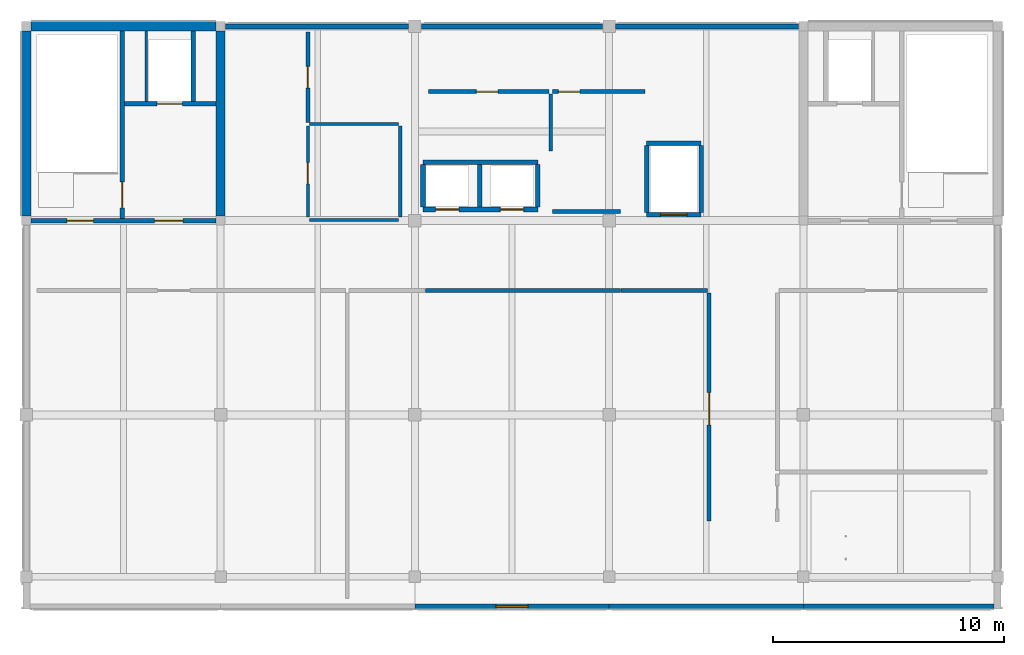
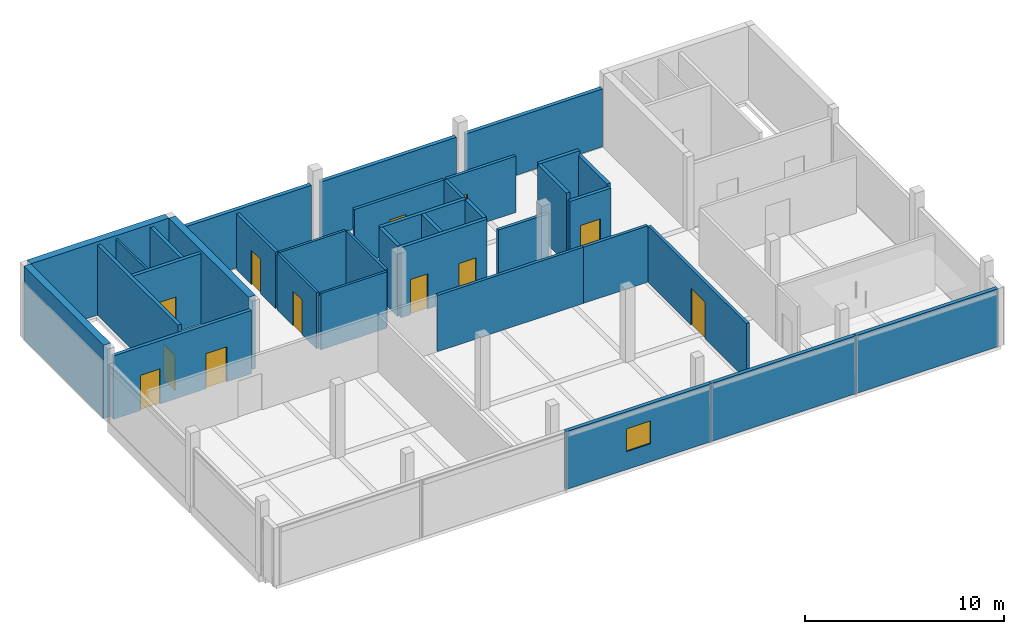
# One storey, part 2 of 11: 35 walls, 12 doors, 1 window, 13 openings.
"""IFC4 building model written with IfcOpenShell, lengths in metres."""

from ifc_helpers import new_model, si_unit, direction, frame, frame_2d, origin, place, context, subcontext, project, spatial, rectangle, extrude, material, layer, layer_set, type_object, element, fill, save


model = new_model("IFC4")

# Units and contexts
model_context = context("Model", 3, precision=1e-05, world=origin(), true_north=direction((0.0, 1.0)))
body_context = subcontext(model_context, "Body", "Model", "MODEL_VIEW")
ifc_project = project(units=[si_unit("LENGTHUNIT", "METRE"), si_unit("AREAUNIT", "SQUARE_METRE"), si_unit("VOLUMEUNIT", "CUBIC_METRE"), si_unit("PLANEANGLEUNIT", "RADIAN"), si_unit("MASSUNIT", "GRAM", prefix="KILO")], contexts=[model_context])

# Site, building, storey
site_placement = place(None, origin())
site = spatial("IfcSite", under=ifc_project, at=site_placement, CompositionType="ELEMENT")
building_placement = place(site_placement, origin())
building = spatial("IfcBuilding", under=site, at=building_placement, Name="Telukmera Botanical Conservatory", CompositionType="ELEMENT")
storey_placement = place(building_placement, frame((0.0, 0.0, 73.5)))
storey = spatial("IfcBuildingStorey", under=building, at=storey_placement, Name="L16", CompositionType="ELEMENT", Elevation=73.5)

# Wall, opening, window
ifc_material_1 = material(Name="Terracotta-faced precast concrete C40/50", Category="masonry")
ifc_layer_1 = layer(ifc_material_1, 0.219970703125)
ifc_layer_set_1 = layer_set([ifc_layer_1], Name="Terracotta-faced precast concrete C40/50")
wall_type_1 = type_object("IfcWallType", Name="Exterior Terracotta Rainscreen Cladding Wall 220", PredefinedType="USERDEFINED", material=ifc_layer_set_1)
wall_1_placement = place(storey_placement, frame((75.60205078125, 9.320068359375, 0.0), z_axis=(0.0, 0.0, 1.0), x_axis=(1.0, 0.0, 0.0)))
wall_1 = element("IfcWall", 1, at=wall_1_placement, inside=storey, type_object=wall_type_1, Name="Exterior Precast Wall EW07 V4:L16:S3", ObjectType="CLADDING", PredefinedType="USERDEFINED", context=body_context, shape_type="SweptSolid", body=[
    extrude(rectangle(XDim=8.39599609375, YDim=0.219970703125, at=frame_2d((4.197998046875, 0.0))), origin(), (0.0, 0.0, 1.0), 3.550048828125),
])
opening_1_placement = place(wall_1_placement, frame((3.498046875, 0.0, 1.10009765625)))
opening_1 = element("IfcOpeningElement", 2, at=opening_1_placement, cuts=wall_1, Name="Opening W04", PredefinedType="OPENING", context=body_context, shape_type="SweptSolid", body=[
    extrude(rectangle(XDim=1.39990234375, YDim=1.39990234375, at=frame_2d((0.699951171875, 0.699951171875))), frame((0.0, 0.119873046875, 0.0), z_axis=(0.0, -1.0, 0.0), x_axis=(1.0, 0.0, 0.0)), (0.0, 0.0, 1.0), 0.239990234375),
])
ifc_material_2 = material(Name="Thermally broken anodised aluminium frame with low-E double glazing", Category="aluminium")
window_type = type_object("IfcWindowType", Name="Postmodern Drum Ocular Feature Window 1400x1400", PartitioningType="SINGLE_PANEL", PredefinedType="LIGHTDOME", material=ifc_material_2)
window_placement = place(opening_1_placement, origin())
window = element("IfcWindow", 3, at=window_placement, inside=storey, type_object=window_type, Name="Facade Window W04 V4:L16:S3", OverallHeight=1.39990234375, OverallWidth=1.39990234375, PartitioningType="SINGLE_PANEL", PredefinedType="LIGHTDOME", context=body_context, shape_type="SweptSolid", body=[
    extrude(rectangle(XDim=1.39990234375, YDim=1.39990234375, at=frame_2d((0.699951171875, 0.699951171875))), frame((0.0, 0.030029296875, 0.0), z_axis=(0.0, -1.0, 0.0), x_axis=(1.0, 0.0, 0.0)), (0.0, 0.0, 1.0), 0.06005859375),
])
fill(opening_1, window)

# Walls
wall_2_placement = place(storey_placement, frame((84.001953125, 9.320068359375, 0.0), z_axis=(0.0, 0.0, 1.0), x_axis=(1.0, 0.0, 0.0)))
element("IfcWall", 4, at=wall_2_placement, inside=storey, type_object=wall_type_1, Name="Exterior Precast Wall EW07 V4:L16:S4", ObjectType="CLADDING", PredefinedType="USERDEFINED", context=body_context, shape_type="SweptSolid", body=[
    extrude(rectangle(XDim=8.39599609375, YDim=0.219970703125, at=frame_2d((4.197998046875, 0.0))), origin(), (0.0, 0.0, 1.0), 3.550048828125),
])
wall_3_placement = place(storey_placement, frame((92.402099609375, 9.320068359375, 0.0), z_axis=(0.0, 0.0, 1.0), x_axis=(1.0, 0.0, 0.0)))
element("IfcWall", 5, at=wall_3_placement, inside=storey, type_object=wall_type_1, Name="Exterior Precast Wall EW07 V4:L16:S5", ObjectType="CLADDING", PredefinedType="USERDEFINED", context=body_context, shape_type="SweptSolid", body=[
    extrude(rectangle(XDim=8.245849609375, YDim=0.219970703125, at=frame_2d((4.123046875, 0.0))), origin(), (0.0, 0.0, 1.0), 3.550048828125),
])
wall_4_placement = place(storey_placement, frame((67.402099609375, 34.39990234375, 0.0), z_axis=(0.0, 0.0, 1.0), x_axis=(1.0, 0.0, 0.0)))
element("IfcWall", 6, at=wall_4_placement, inside=storey, type_object=wall_type_1, Name="Exterior Precast Wall EW07 V4:L16:N2", ObjectType="CLADDING", PredefinedType="USERDEFINED", context=body_context, shape_type="SweptSolid", body=[
    extrude(rectangle(XDim=7.9208984375, YDim=0.219970703125, at=frame_2d((3.96044921875, 0.0))), origin(), (0.0, 0.0, 1.0), 3.550048828125),
])
wall_5_placement = place(storey_placement, frame((75.876953125, 34.39990234375, 0.0), z_axis=(0.0, 0.0, 1.0), x_axis=(1.0, 0.0, 0.0)))
element("IfcWall", 7, at=wall_5_placement, inside=storey, type_object=wall_type_1, Name="Exterior Precast Wall EW07 V4:L16:N3", ObjectType="CLADDING", PredefinedType="USERDEFINED", context=body_context, shape_type="SweptSolid", body=[
    extrude(rectangle(XDim=7.845947265625, YDim=0.219970703125, at=frame_2d((3.9228515625, 0.0))), origin(), (0.0, 0.0, 1.0), 3.550048828125),
])
wall_6_placement = place(storey_placement, frame((84.277099609375, 34.39990234375, 0.0), z_axis=(0.0, 0.0, 1.0), x_axis=(1.0, 0.0, 0.0)))
element("IfcWall", 8, at=wall_6_placement, inside=storey, type_object=wall_type_1, Name="Exterior Precast Wall EW07 V4:L16:N4", ObjectType="CLADDING", PredefinedType="USERDEFINED", context=body_context, shape_type="SweptSolid", body=[
    extrude(rectangle(XDim=7.9208984375, YDim=0.219970703125, at=frame_2d((3.96044921875, 0.0))), origin(), (0.0, 0.0, 1.0), 3.550048828125),
])

# Wall, openings, doors
ifc_material_3 = material(Name="Concrete C40/50", Category="concrete")
ifc_layer_2 = layer(ifc_material_3, 0.199951171875)
ifc_layer_set_2 = layer_set([ifc_layer_2], Name="Concrete C40/50")
wall_type_2 = type_object("IfcWallType", Name="WT-CORE-200", PredefinedType="SOLIDWALL", material=ifc_layer_set_2)
wall_7_placement = place(storey_placement, frame((59.0, 26.0, 0.0), z_axis=(0.0, 0.0, 1.0), x_axis=(1.0, 0.0, 0.0)))
wall_7 = element("IfcWall", 9, at=wall_7_placement, inside=storey, type_object=wall_type_2, Name="L16 Core C1 South Fire Wall", PredefinedType="SOLIDWALL", context=body_context, shape_type="SweptSolid", body=[
    extrude(rectangle(XDim=8.0, YDim=0.199951171875, at=frame_2d((4.0, 0.0))), origin(), (0.0, 0.0, 1.0), 3.8798828125),
])
opening_2_placement = place(wall_7_placement, frame((1.550048828125, 0.0, 0.0)))
opening_2 = element("IfcOpeningElement", 10, at=opening_2_placement, cuts=wall_7, Name="Opening FD60A", PredefinedType="OPENING", context=body_context, shape_type="SweptSolid", body=[
    extrude(rectangle(XDim=1.14990234375, YDim=2.14990234375, at=frame_2d((0.574951171875, 1.074951171875))), frame((0.0, 0.10986328125, 0.0), z_axis=(0.0, -1.0, 0.0), x_axis=(1.0, 0.0, 0.0)), (0.0, 0.0, 1.0), 0.219970703125),
])
opening_3_placement = place(wall_7_placement, frame((5.35009765625, 0.0, 0.0)))
opening_3 = element("IfcOpeningElement", 11, at=opening_3_placement, cuts=wall_7, Name="Opening FD60C", PredefinedType="OPENING", context=body_context, shape_type="SweptSolid", body=[
    extrude(rectangle(XDim=1.219970703125, YDim=2.14990234375, at=frame_2d((0.60986328125, 1.074951171875))), frame((0.0, 0.10986328125, 0.0), z_axis=(0.0, -1.0, 0.0), x_axis=(1.0, 0.0, 0.0)), (0.0, 0.0, 1.0), 0.219970703125),
])
ifc_material_4 = material(Name="Hardwood fire door", Category="wood")
door_type_1 = type_object("IfcDoorType", Name="DT-FD60-01", OperationType="NOTDEFINED", PredefinedType="DOOR", material=ifc_material_4)
door_1_placement = place(opening_2_placement, origin())
door_1 = element("IfcDoor", 12, at=door_1_placement, inside=storey, type_object=door_type_1, Name="L16 Stair ST1 Escape Door", OperationType="SINGLE_SWING_RIGHT", OverallHeight=2.14990234375, OverallWidth=1.14990234375, PredefinedType="DOOR", context=body_context, shape_type="SweptSolid", body=[
    extrude(rectangle(XDim=1.14990234375, YDim=2.14990234375, at=frame_2d((0.574951171875, 1.074951171875))), frame((0.0, 0.02490234375, 0.0), z_axis=(0.0, -1.0, 0.0), x_axis=(1.0, 0.0, 0.0)), (0.0, 0.0, 1.0), 0.050048828125),
])
fill(opening_2, door_1)
door_type_2 = type_object("IfcDoorType", Name="DT-FD60-03", OperationType="NOTDEFINED", PredefinedType="DOOR", material=ifc_material_4)
door_2_placement = place(opening_3_placement, origin())
door_2 = element("IfcDoor", 13, at=door_2_placement, inside=storey, type_object=door_type_2, Name="L16 Firefighting Lobby C1 Door", OperationType="SINGLE_SWING_LEFT", OverallHeight=2.14990234375, OverallWidth=1.219970703125, PredefinedType="DOOR", context=body_context, shape_type="SweptSolid", body=[
    extrude(rectangle(XDim=1.219970703125, YDim=2.14990234375, at=frame_2d((0.60986328125, 1.074951171875))), frame((0.0, 0.02490234375, 0.0), z_axis=(0.0, -1.0, 0.0), x_axis=(1.0, 0.0, 0.0)), (0.0, 0.0, 1.0), 0.050048828125),
])
fill(opening_3, door_2)

# Wall, opening, door
wall_8_placement = place(storey_placement, frame((62.949951171875, 26.10009765625, 0.0), z_axis=(0.0, 0.0, 1.0), x_axis=(0.0, 1.0, 0.0)))
wall_8 = element("IfcWall", 14, at=wall_8_placement, inside=storey, type_object=wall_type_2, Name="L16 Core C1 Stair-Lobby Wall", PredefinedType="SOLIDWALL", context=body_context, shape_type="SweptSolid", body=[
    extrude(rectangle(XDim=8.099853515625, YDim=0.199951171875, at=frame_2d((4.0498046875, 0.0))), origin(), (0.0, 0.0, 1.0), 4.300048828125),
])
opening_4_placement = place(wall_8_placement, frame((0.449951171875, 0.0, 0.0)))
opening_4 = element("IfcOpeningElement", 15, at=opening_4_placement, cuts=wall_8, Name="Opening FD60B", PredefinedType="OPENING", context=body_context, shape_type="SweptSolid", body=[
    extrude(rectangle(XDim=1.1201171875, YDim=2.14990234375, at=frame_2d((0.56005859375, 1.074951171875))), frame((0.0, 0.10986328125, 0.0), z_axis=(0.0, -1.0, 0.0), x_axis=(1.0, 0.0, 0.0)), (0.0, 0.0, 1.0), 0.219970703125),
])
door_type_3 = type_object("IfcDoorType", Name="DT-FD60-02", OperationType="NOTDEFINED", PredefinedType="DOOR", material=ifc_material_4)
door_3_placement = place(opening_4_placement, origin())
door_3 = element("IfcDoor", 16, at=door_3_placement, inside=storey, type_object=door_type_3, Name="L16 Firefighting Lobby C1 to ST1 Door", OperationType="SINGLE_SWING_RIGHT", OverallHeight=2.14990234375, OverallWidth=1.1201171875, PredefinedType="DOOR", context=body_context, shape_type="SweptSolid", body=[
    extrude(rectangle(XDim=1.1201171875, YDim=2.14990234375, at=frame_2d((0.56005859375, 1.074951171875))), frame((0.0, 0.02490234375, 0.0), z_axis=(0.0, -1.0, 0.0), x_axis=(1.0, 0.0, 0.0)), (0.0, 0.0, 1.0), 0.050048828125),
])
fill(opening_4, door_3)

wall_9_placement = place(storey_placement, frame((63.050048828125, 31.050048828125, 0.0), z_axis=(0.0, 0.0, 1.0), x_axis=(1.0, 0.0, 0.0)))
wall_9 = element("IfcWall", 17, at=wall_9_placement, inside=storey, type_object=wall_type_2, Name="L16 Fire Lift FL1 Shaft Front Wall", PredefinedType="SOLIDWALL", context=body_context, shape_type="SweptSolid", body=[
    extrude(rectangle(XDim=3.949951171875, YDim=0.199951171875, at=frame_2d((1.97509765625, 0.0))), origin(), (0.0, 0.0, 1.0), 4.300048828125),
])
opening_5_placement = place(wall_9_placement, frame((1.39990234375, 0.0, 0.0)))
opening_5 = element("IfcOpeningElement", 18, at=opening_5_placement, cuts=wall_9, Name="Opening LD01", PredefinedType="OPENING", context=body_context, shape_type="SweptSolid", body=[
    extrude(rectangle(XDim=1.10009765625, YDim=2.14990234375, at=frame_2d((0.550048828125, 1.074951171875))), frame((0.0, 0.10986328125, 0.0), z_axis=(0.0, -1.0, 0.0), x_axis=(1.0, 0.0, 0.0)), (0.0, 0.0, 1.0), 0.219970703125),
])
ifc_material_5 = material(Name="Stainless steel 316", Category="steel")
door_type_4 = type_object("IfcDoorType", Name="DT-LD01", OperationType="SLIDING_TO_LEFT", PredefinedType="DOOR", material=ifc_material_5)
door_4_placement = place(opening_5_placement, frame((1.10009765625, 0.0, 0.0), z_axis=(0.0, 0.0, 1.0), x_axis=(-1.0, 0.0, 0.0)))
door_4 = element("IfcDoor", 19, at=door_4_placement, inside=storey, type_object=door_type_4, Name="L16 Lift Landing Door FL1", OperationType="SLIDING_TO_LEFT", OverallHeight=2.14990234375, OverallWidth=1.10009765625, PredefinedType="DOOR", context=body_context, shape_type="SweptSolid", body=[
    extrude(rectangle(XDim=1.10009765625, YDim=2.14990234375, at=frame_2d((0.550048828125, 1.074951171875))), frame((0.0, 0.02490234375, 0.0), z_axis=(0.0, -1.0, 0.0), x_axis=(1.0, 0.0, 0.0)), (0.0, 0.0, 1.0), 0.050048828125),
])
fill(opening_5, door_4)

# Wall
wall_10_placement = place(storey_placement, frame((66.02001953125, 31.14990234375, 0.0), z_axis=(0.0, 0.0, 1.0), x_axis=(0.0, 1.0, 0.0)))
element("IfcWall", 20, at=wall_10_placement, inside=storey, type_object=wall_type_2, Name="L16 Fire Lift FL1 Shaft East Wall", PredefinedType="SOLIDWALL", context=body_context, shape_type="SweptSolid", body=[
    extrude(rectangle(XDim=3.050048828125, YDim=0.199951171875, at=frame_2d((1.52490234375, 0.0))), origin(), (0.0, 0.0, 1.0), 4.300048828125),
])

# Wall, openings, doors
wall_11_placement = place(storey_placement, frame((75.949951171875, 26.47998046875, 0.0), z_axis=(0.0, 0.0, 1.0), x_axis=(1.0, 0.0, 0.0)))
wall_11 = element("IfcWall", 21, at=wall_11_placement, inside=storey, type_object=wall_type_2, Name="L16 Passenger Lift Bank Front Wall", PredefinedType="SOLIDWALL", context=body_context, shape_type="SweptSolid", body=[
    extrude(rectangle(XDim=4.969970703125, YDim=0.199951171875, at=frame_2d((2.48486328125, 0.0))), origin(), (0.0, 0.0, 1.0), 4.300048828125),
])
opening_6_placement = place(wall_11_placement, frame((0.550048828125, 0.0, 0.0)))
opening_6 = element("IfcOpeningElement", 22, at=opening_6_placement, cuts=wall_11, Name="Opening LD03", PredefinedType="OPENING", context=body_context, shape_type="SweptSolid", body=[
    extrude(rectangle(XDim=1.0, YDim=2.14990234375, at=frame_2d((0.5, 1.074951171875))), frame((0.0, 0.10986328125, 0.0), z_axis=(0.0, -1.0, 0.0), x_axis=(1.0, 0.0, 0.0)), (0.0, 0.0, 1.0), 0.219970703125),
])
opening_7_placement = place(wall_11_placement, frame((3.35009765625, 0.0, 0.0)))
opening_7 = element("IfcOpeningElement", 23, at=opening_7_placement, cuts=wall_11, Name="Opening LD03", PredefinedType="OPENING", context=body_context, shape_type="SweptSolid", body=[
    extrude(rectangle(XDim=1.0, YDim=2.14990234375, at=frame_2d((0.5, 1.074951171875))), frame((0.0, 0.10986328125, 0.0), z_axis=(0.0, -1.0, 0.0), x_axis=(1.0, 0.0, 0.0)), (0.0, 0.0, 1.0), 0.219970703125),
])
door_type_5 = type_object("IfcDoorType", Name="DT-LD03", OperationType="SLIDING_TO_LEFT", PredefinedType="DOOR", material=ifc_material_5)
door_5_placement = place(opening_6_placement, frame((1.0, 0.0, 0.0), z_axis=(0.0, 0.0, 1.0), x_axis=(-1.0, 0.0, 0.0)))
door_5 = element("IfcDoor", 24, at=door_5_placement, inside=storey, type_object=door_type_5, Name="L16 Lift Landing Door PL1", OperationType="SLIDING_TO_LEFT", OverallHeight=2.14990234375, OverallWidth=1.0, PredefinedType="DOOR", context=body_context, shape_type="SweptSolid", body=[
    extrude(rectangle(XDim=1.0, YDim=2.14990234375, at=frame_2d((0.5, 1.074951171875))), frame((0.0, 0.02490234375, 0.0), z_axis=(0.0, -1.0, 0.0), x_axis=(1.0, 0.0, 0.0)), (0.0, 0.0, 1.0), 0.050048828125),
])
fill(opening_6, door_5)
door_6_placement = place(opening_7_placement, frame((1.0, 0.0, 0.0), z_axis=(0.0, 0.0, 1.0), x_axis=(-1.0, 0.0, 0.0)))
door_6 = element("IfcDoor", 25, at=door_6_placement, inside=storey, type_object=door_type_5, Name="L16 Lift Landing Door PL2", OperationType="SLIDING_TO_LEFT", OverallHeight=2.14990234375, OverallWidth=1.0, PredefinedType="DOOR", context=body_context, shape_type="SweptSolid", body=[
    extrude(rectangle(XDim=1.0, YDim=2.14990234375, at=frame_2d((0.5, 1.074951171875))), frame((0.0, 0.02490234375, 0.0), z_axis=(0.0, -1.0, 0.0), x_axis=(1.0, 0.0, 0.0)), (0.0, 0.0, 1.0), 0.050048828125),
])
fill(opening_7, door_6)

# Walls
wall_12_placement = place(storey_placement, frame((75.949951171875, 28.52001953125, 0.0), z_axis=(0.0, 0.0, 1.0), x_axis=(1.0, 0.0, 0.0)))
element("IfcWall", 26, at=wall_12_placement, inside=storey, type_object=wall_type_2, Name="L16 Passenger Lift Bank Rear Wall", PredefinedType="SOLIDWALL", context=body_context, shape_type="SweptSolid", body=[
    extrude(rectangle(XDim=4.969970703125, YDim=0.199951171875, at=frame_2d((2.48486328125, 0.0))), origin(), (0.0, 0.0, 1.0), 4.300048828125),
])
for number, where, z_axis, x_axis, name in (
    (27, (75.949951171875, 26.580078125, 0.0), (0.0, 0.0, 1.0), (0.0, 1.0, 0.0), "L16 Passenger Lift Shaft Wall 1"),
    (28, (78.39990234375, 26.580078125, 0.0), (0.0, 0.0, 1.0), (0.0, 1.0, 0.0), "L16 Passenger Lift Shaft Wall 2"),
    (29, (80.919921875, 26.580078125, 0.0), (0.0, 0.0, 1.0), (0.0, 1.0, 0.0), "L16 Passenger Lift Shaft Wall 3"),
):
    element("IfcWall", number, at=place(storey_placement, frame(where, z_axis=z_axis, x_axis=x_axis)), inside=storey, type_object=wall_type_2, Name=name, PredefinedType="SOLIDWALL", context=body_context, shape_type="SweptSolid", body=[
        extrude(rectangle(XDim=1.83984375, YDim=0.199951171875, at=frame_2d((0.919921875, 0.0))), origin(), (0.0, 0.0, 1.0), 4.300048828125),
    ])

# Wall, opening, door
wall_13_placement = place(storey_placement, frame((85.6201171875, 26.25, 0.0), z_axis=(0.0, 0.0, 1.0), x_axis=(1.0, 0.0, 0.0)))
wall_13 = element("IfcWall", 30, at=wall_13_placement, inside=storey, type_object=wall_type_2, Name="L16 Goods Lift GL1 Front Wall", PredefinedType="SOLIDWALL", context=body_context, shape_type="SweptSolid", body=[
    extrude(rectangle(XDim=2.35986328125, YDim=0.199951171875, at=frame_2d((1.179931640625, 0.0))), origin(), (0.0, 0.0, 1.0), 3.8798828125),
])
opening_8_placement = place(wall_13_placement, frame((0.60498046875, 0.0, 0.0)))
opening_8 = element("IfcOpeningElement", 31, at=opening_8_placement, cuts=wall_13, Name="Opening LD02", PredefinedType="OPENING", context=body_context, shape_type="SweptSolid", body=[
    extrude(rectangle(XDim=1.14990234375, YDim=2.199951171875, at=frame_2d((0.574951171875, 1.10009765625))), frame((0.0, 0.10986328125, 0.0), z_axis=(0.0, -1.0, 0.0), x_axis=(1.0, 0.0, 0.0)), (0.0, 0.0, 1.0), 0.219970703125),
])
door_type_6 = type_object("IfcDoorType", Name="DT-LD02", OperationType="SLIDING_TO_LEFT", PredefinedType="DOOR", material=ifc_material_5)
door_7_placement = place(opening_8_placement, frame((1.14990234375, 0.0, 0.0), z_axis=(0.0, 0.0, 1.0), x_axis=(-1.0, 0.0, 0.0)))
door_7 = element("IfcDoor", 32, at=door_7_placement, inside=storey, type_object=door_type_6, Name="L16 Lift Landing Door GL1", OperationType="SLIDING_TO_LEFT", OverallHeight=2.199951171875, OverallWidth=1.14990234375, PredefinedType="DOOR", context=body_context, shape_type="SweptSolid", body=[
    extrude(rectangle(XDim=1.14990234375, YDim=2.199951171875, at=frame_2d((0.574951171875, 1.10009765625))), frame((0.0, 0.02490234375, 0.0), z_axis=(0.0, -1.0, 0.0), x_axis=(1.0, 0.0, 0.0)), (0.0, 0.0, 1.0), 0.050048828125),
])
fill(opening_8, door_7)

# Walls
wall_14_placement = place(storey_placement, frame((85.6201171875, 29.35009765625, 0.0), z_axis=(0.0, 0.0, 1.0), x_axis=(1.0, 0.0, 0.0)))
element("IfcWall", 33, at=wall_14_placement, inside=storey, type_object=wall_type_2, Name="L16 Goods Lift GL1 Rear Wall", PredefinedType="SOLIDWALL", context=body_context, shape_type="SweptSolid", body=[
    extrude(rectangle(XDim=2.35986328125, YDim=0.199951171875, at=frame_2d((1.179931640625, 0.0))), origin(), (0.0, 0.0, 1.0), 4.300048828125),
])
wall_15_placement = place(storey_placement, frame((85.6201171875, 26.35009765625, 0.0), z_axis=(0.0, 0.0, 1.0), x_axis=(0.0, 1.0, 0.0)))
element("IfcWall", 34, at=wall_15_placement, inside=storey, type_object=wall_type_2, Name="L16 Goods Lift GL1 Side Wall 1", PredefinedType="SOLIDWALL", context=body_context, shape_type="SweptSolid", body=[
    extrude(rectangle(XDim=2.89990234375, YDim=0.199951171875, at=frame_2d((1.449951171875, 0.0))), origin(), (0.0, 0.0, 1.0), 4.300048828125),
])
wall_16_placement = place(storey_placement, frame((87.97998046875, 26.35009765625, 0.0), z_axis=(0.0, 0.0, 1.0), x_axis=(0.0, 1.0, 0.0)))
element("IfcWall", 35, at=wall_16_placement, inside=storey, type_object=wall_type_2, Name="L16 Goods Lift GL1 Side Wall 2", PredefinedType="SOLIDWALL", context=body_context, shape_type="SweptSolid", body=[
    extrude(rectangle(XDim=2.89990234375, YDim=0.199951171875, at=frame_2d((1.449951171875, 0.0))), origin(), (0.0, 0.0, 1.0), 4.030029296875),
])

# Wall, opening, door
ifc_material_6 = material(Name="Blockwork masonry", Category="masonry")
ifc_layer_3 = layer(ifc_material_6, 0.169921875)
ifc_layer_set_3 = layer_set([ifc_layer_3], Name="Blockwork masonry")
wall_type_3 = type_object("IfcWallType", Name="WT-PLANT-170", PredefinedType="PARTITIONING", material=ifc_layer_set_3)
wall_17_placement = place(storey_placement, frame((70.97509765625, 30.25, 0.0), z_axis=(0.0, 0.0, 1.0), x_axis=(0.0, 1.0, 0.0)))
wall_17 = element("IfcWall", 36, at=wall_17_placement, inside=storey, type_object=wall_type_3, Name="L16 Interior Partition 02", PredefinedType="PARTITIONING", context=body_context, shape_type="SweptSolid", body=[
    extrude(rectangle(XDim=3.89990234375, YDim=0.169921875, at=frame_2d((1.949951171875, 0.0))), origin(), (0.0, 0.0, 1.0), 3.449951171875),
])
opening_9_placement = place(wall_17_placement, frame((1.47998046875, 0.0, 0.0)))
opening_9 = element("IfcOpeningElement", 37, at=opening_9_placement, cuts=wall_17, Name="Opening ID16", PredefinedType="OPENING", context=body_context, shape_type="SweptSolid", body=[
    extrude(rectangle(XDim=0.93994140625, YDim=2.10009765625, at=frame_2d((0.469970703125, 1.050048828125))), frame((0.0, 0.094970703125, 0.0), z_axis=(0.0, -1.0, 0.0), x_axis=(1.0, 0.0, 0.0)), (0.0, 0.0, 1.0), 0.18994140625),
])
ifc_material_7 = material(Name="Steel utility store fire door", Category="steel")
door_type_7 = type_object("IfcDoorType", Name="DT-STR-094", OperationType="NOTDEFINED", PredefinedType="DOOR", material=ifc_material_7)
door_8_placement = place(opening_9_placement, origin())
door_8 = element("IfcDoor", 38, at=door_8_placement, inside=storey, type_object=door_type_7, Name="L16 Plant Telemetry Closet Door", OperationType="SINGLE_SWING_RIGHT", OverallHeight=2.10009765625, OverallWidth=0.93994140625, PredefinedType="DOOR", context=body_context, shape_type="SweptSolid", body=[
    extrude(rectangle(XDim=0.93994140625, YDim=2.10009765625, at=frame_2d((0.469970703125, 1.050048828125))), frame((0.0, 0.02490234375, 0.0), z_axis=(0.0, -1.0, 0.0), x_axis=(1.0, 0.0, 0.0)), (0.0, 0.0, 1.0), 0.050048828125),
])
fill(opening_9, door_8)

wall_18_placement = place(storey_placement, frame((81.550048828125, 31.574951171875, 0.0), z_axis=(0.0, 0.0, 1.0), x_axis=(1.0, 0.0, 0.0)))
wall_18 = element("IfcWall", 39, at=wall_18_placement, inside=storey, type_object=wall_type_3, Name="L16 Interior Partition 05", PredefinedType="PARTITIONING", context=body_context, shape_type="SweptSolid", body=[
    extrude(rectangle(XDim=4.0, YDim=0.169921875, at=frame_2d((2.0, 0.0))), origin(), (0.0, 0.0, 1.0), 3.449951171875),
])
opening_10_placement = place(wall_18_placement, frame((0.25, 0.0, 0.0)))
opening_10 = element("IfcOpeningElement", 40, at=opening_10_placement, cuts=wall_18, Name="Opening ID16", PredefinedType="OPENING", context=body_context, shape_type="SweptSolid", body=[
    extrude(rectangle(XDim=0.93994140625, YDim=2.10009765625, at=frame_2d((0.469970703125, 1.050048828125))), frame((0.0, 0.094970703125, 0.0), z_axis=(0.0, -1.0, 0.0), x_axis=(1.0, 0.0, 0.0)), (0.0, 0.0, 1.0), 0.18994140625),
])
door_9_placement = place(opening_10_placement, frame((0.93994140625, 0.0, 0.0), z_axis=(0.0, 0.0, 1.0), x_axis=(-1.0, 0.0, 0.0)))
door_9 = element("IfcDoor", 41, at=door_9_placement, inside=storey, type_object=door_type_7, Name="L16 Solar Inverter Telemetry Room Door", OperationType="SINGLE_SWING_LEFT", OverallHeight=2.10009765625, OverallWidth=0.93994140625, PredefinedType="DOOR", context=body_context, shape_type="SweptSolid", body=[
    extrude(rectangle(XDim=0.93994140625, YDim=2.10009765625, at=frame_2d((0.469970703125, 1.050048828125))), frame((0.0, 0.02490234375, 0.0), z_axis=(0.0, -1.0, 0.0), x_axis=(1.0, 0.0, 0.0)), (0.0, 0.0, 1.0), 0.050048828125),
])
fill(opening_10, door_9)

wall_19_placement = place(storey_placement, frame((76.199951171875, 31.574951171875, 0.0), z_axis=(0.0, 0.0, 1.0), x_axis=(1.0, 0.0, 0.0)))
wall_19 = element("IfcWall", 42, at=wall_19_placement, inside=storey, type_object=wall_type_3, Name="L16 Interior Partition 06", PredefinedType="PARTITIONING", context=body_context, shape_type="SweptSolid", body=[
    extrude(rectangle(XDim=5.199951171875, YDim=0.169921875, at=frame_2d((2.60009765625, 0.0))), origin(), (0.0, 0.0, 1.0), 3.449951171875),
])
opening_11_placement = place(wall_19_placement, frame((2.0546875, 0.0, 0.0)))
opening_11 = element("IfcOpeningElement", 43, at=opening_11_placement, cuts=wall_19, Name="Opening ID16", PredefinedType="OPENING", context=body_context, shape_type="SweptSolid", body=[
    extrude(rectangle(XDim=0.93994140625, YDim=2.10009765625, at=frame_2d((0.469970703125, 1.050048828125))), frame((0.0, 0.094970703125, 0.0), z_axis=(0.0, -1.0, 0.0), x_axis=(1.0, 0.0, 0.0)), (0.0, 0.0, 1.0), 0.18994140625),
])
door_10_placement = place(opening_11_placement, origin())
door_10 = element("IfcDoor", 44, at=door_10_placement, inside=storey, type_object=door_type_7, Name="L16 Clean Agent Cylinder Room Door", OperationType="SINGLE_SWING_RIGHT", OverallHeight=2.10009765625, OverallWidth=0.93994140625, PredefinedType="DOOR", context=body_context, shape_type="SweptSolid", body=[
    extrude(rectangle(XDim=0.93994140625, YDim=2.10009765625, at=frame_2d((0.469970703125, 1.050048828125))), frame((0.0, 0.02490234375, 0.0), z_axis=(0.0, -1.0, 0.0), x_axis=(1.0, 0.0, 0.0)), (0.0, 0.0, 1.0), 0.050048828125),
])
fill(opening_11, door_10)

# Walls
wall_20_placement = place(storey_placement, frame((81.47509765625, 29.0, 0.0), z_axis=(0.0, 0.0, 1.0), x_axis=(0.0, 1.0, 0.0)))
element("IfcWall", 45, at=wall_20_placement, inside=storey, type_object=wall_type_3, Name="L16 Interior Partition 07", PredefinedType="PARTITIONING", context=body_context, shape_type="SweptSolid", body=[
    extrude(rectangle(XDim=2.47998046875, YDim=0.169921875, at=frame_2d((1.239990234375, 0.0))), origin(), (0.0, 0.0, 1.0), 3.449951171875),
])
wall_21_placement = place(storey_placement, frame((81.550048828125, 26.39990234375, 0.0), z_axis=(0.0, 0.0, 1.0), x_axis=(1.0, 0.0, 0.0)))
element("IfcWall", 46, at=wall_21_placement, inside=storey, type_object=wall_type_3, Name="L16 Interior Partition 08", PredefinedType="PARTITIONING", context=body_context, shape_type="SweptSolid", body=[
    extrude(rectangle(XDim=2.949951171875, YDim=0.169921875, at=frame_2d((1.47509765625, 0.0))), origin(), (0.0, 0.0, 1.0), 3.449951171875),
])
wall_22_placement = place(storey_placement, frame((76.050048828125, 22.97509765625, 0.0), z_axis=(0.0, 0.0, 1.0), x_axis=(1.0, 0.0, 0.0)))
element("IfcWall", 47, at=wall_22_placement, inside=storey, type_object=wall_type_3, Name="L16 Interior Partition 09", PredefinedType="PARTITIONING", context=body_context, shape_type="SweptSolid", body=[
    extrude(rectangle(XDim=8.449951171875, YDim=0.169921875, at=frame_2d((4.22509765625, 0.0))), origin(), (0.0, 0.0, 1.0), 3.449951171875),
])
wall_23_placement = place(storey_placement, frame((84.510009765625, 22.97509765625, 0.0), z_axis=(0.0, 0.0, 1.0), x_axis=(1.0, 0.0, 0.0)))
element("IfcWall", 48, at=wall_23_placement, inside=storey, type_object=wall_type_3, Name="L16 Interior Partition 10", PredefinedType="PARTITIONING", context=body_context, shape_type="SweptSolid", body=[
    extrude(rectangle(XDim=3.739990234375, YDim=0.169921875, at=frame_2d((1.8701171875, 0.0))), origin(), (0.0, 0.0, 1.0), 3.449951171875),
])

# Wall, opening, door
wall_24_placement = place(storey_placement, frame((88.324951171875, 13.0, 0.0), z_axis=(0.0, 0.0, 1.0), x_axis=(0.0, 1.0, 0.0)))
wall_24 = element("IfcWall", 49, at=wall_24_placement, inside=storey, type_object=wall_type_3, Name="L16 Interior Partition 14", PredefinedType="PARTITIONING", context=body_context, shape_type="SweptSolid", body=[
    extrude(rectangle(XDim=9.8798828125, YDim=0.169921875, at=frame_2d((4.93994140625, 0.0))), origin(), (0.0, 0.0, 1.0), 3.449951171875),
])
opening_12_placement = place(wall_24_placement, frame((4.164794921875, 0.0, 0.0)))
opening_12 = element("IfcOpeningElement", 50, at=opening_12_placement, cuts=wall_24, Name="Opening ID05", PredefinedType="OPENING", context=body_context, shape_type="SweptSolid", body=[
    extrude(rectangle(XDim=1.39990234375, YDim=2.25, at=frame_2d((0.699951171875, 1.125))), frame((0.0, 0.094970703125, 0.0), z_axis=(0.0, -1.0, 0.0), x_axis=(1.0, 0.0, 0.0)), (0.0, 0.0, 1.0), 0.18994140625),
])
ifc_material_8 = material(Name="Louvred steel plant double door", Category="steel")
door_type_8 = type_object("IfcDoorType", Name="DT-PLANT-140", OperationType="NOTDEFINED", PredefinedType="DOOR", material=ifc_material_8)
door_11_placement = place(opening_12_placement, origin())
door_11 = element("IfcDoor", 51, at=door_11_placement, inside=storey, type_object=door_type_8, Name="L16 Desiccant Dehumidification Plant Door", OperationType="SINGLE_SWING_RIGHT", OverallHeight=2.25, OverallWidth=1.39990234375, PredefinedType="DOOR", context=body_context, shape_type="SweptSolid", body=[
    extrude(rectangle(XDim=1.39990234375, YDim=2.25, at=frame_2d((0.699951171875, 1.125))), frame((0.0, 0.02490234375, 0.0), z_axis=(0.0, -1.0, 0.0), x_axis=(1.0, 0.0, 0.0)), (0.0, 0.0, 1.0), 0.050048828125),
])
fill(opening_12, door_11)

# Wall
ifc_material_9 = material(Name="Gypsum shaftwall liner")
ifc_layer_4 = layer(ifc_material_9, 0.110107421875)
ifc_layer_set_4 = layer_set([ifc_layer_4], Name="Gypsum shaftwall liner")
wall_type_4 = type_object("IfcWallType", Name="WT-RISER-110", PredefinedType="PARTITIONING", material=ifc_layer_set_4)
wall_25_placement = place(storey_placement, frame((63.97998046875, 31.14990234375, 0.0), z_axis=(0.0, 0.0, 1.0), x_axis=(0.0, 1.0, 0.0)))
element("IfcWall", 52, at=wall_25_placement, inside=storey, type_object=wall_type_4, Name="L16 Wet Riser C1 Shaft Wall", PredefinedType="PARTITIONING", context=body_context, shape_type="SweptSolid", body=[
    extrude(rectangle(XDim=3.050048828125, YDim=0.110107421875, at=frame_2d((1.52490234375, 0.0))), origin(), (0.0, 0.0, 1.0), 4.300048828125),
])

# Wall, opening, door
ifc_material_10 = material(Name="Moisture-resistant blockwork", Category="masonry")
ifc_layer_5 = layer(ifc_material_10, 0.135009765625)
ifc_layer_set_5 = layer_set([ifc_layer_5], Name="Moisture-resistant blockwork")
wall_type_5 = type_object("IfcWallType", Name="WT-WC-135", PredefinedType="PARTITIONING", material=ifc_layer_set_5)
wall_26_placement = place(storey_placement, frame((70.97509765625, 26.14990234375, 0.0), z_axis=(0.0, 0.0, 1.0), x_axis=(0.0, 1.0, 0.0)))
wall_26 = element("IfcWall", 53, at=wall_26_placement, inside=storey, type_object=wall_type_5, Name="L16 Interior Partition 01", PredefinedType="PARTITIONING", context=body_context, shape_type="SweptSolid", body=[
    extrude(rectangle(XDim=3.9501953125, YDim=0.135009765625, at=frame_2d((1.97509765625, 0.0))), origin(), (0.0, 0.0, 1.0), 3.449951171875),
])
opening_13_placement = place(wall_26_placement, frame((1.440673828125, 0.0, 0.0)))
opening_13 = element("IfcOpeningElement", 54, at=opening_13_placement, cuts=wall_26, Name="Opening ID17", PredefinedType="OPENING", context=body_context, shape_type="SweptSolid", body=[
    extrude(rectangle(XDim=0.919921875, YDim=2.1201171875, at=frame_2d((0.4599609375, 1.06005859375))), frame((0.0, 0.077392578125, 0.0), z_axis=(0.0, -1.0, 0.0), x_axis=(1.0, 0.0, 0.0)), (0.0, 0.0, 1.0), 0.155029296875),
])
ifc_material_11 = material(Name="Moisture-resistant laminate WC door")
door_type_9 = type_object("IfcDoorType", Name="DT-WC-092", OperationType="NOTDEFINED", PredefinedType="DOOR", material=ifc_material_11)
door_12_placement = place(opening_13_placement, origin())
door_12 = element("IfcDoor", 55, at=door_12_placement, inside=storey, type_object=door_type_9, Name="L16 Plant Staff Sanitary WC Door", OperationType="SINGLE_SWING_LEFT", OverallHeight=2.1201171875, OverallWidth=0.919921875, PredefinedType="DOOR", context=body_context, shape_type="SweptSolid", body=[
    extrude(rectangle(XDim=0.919921875, YDim=2.1201171875, at=frame_2d((0.4599609375, 1.06005859375))), frame((0.0, 0.02490234375, 0.0), z_axis=(0.0, -1.0, 0.0), x_axis=(1.0, 0.0, 0.0)), (0.0, 0.0, 1.0), 0.050048828125),
])
fill(opening_13, door_12)

# Walls
for number, where, z_axis, x_axis, name in (
    (56, (71.050048828125, 30.175048828125, 0.0), (0.0, 0.0, 1.0), (1.0, 0.0, 0.0), "L16 Interior Partition 03"),
    (57, (71.050048828125, 26.02490234375, 0.0), (0.0, 0.0, 1.0), (1.0, 0.0, 0.0), "L16 Interior Partition 04"),
):
    element("IfcWall", number, at=place(storey_placement, frame(where, z_axis=z_axis, x_axis=x_axis)), inside=storey, type_object=wall_type_5, Name=name, PredefinedType="PARTITIONING", context=body_context, shape_type="SweptSolid", body=[
        extrude(rectangle(XDim=3.849853515625, YDim=0.135009765625, at=frame_2d((1.9248046875, 0.0))), origin(), (0.0, 0.0, 1.0), 3.449951171875),
    ])
wall_27_placement = place(storey_placement, frame((74.967529296875, 26.14990234375, 0.0), z_axis=(0.0, 0.0, 1.0), x_axis=(0.0, 1.0, 0.0)))
element("IfcWall", 58, at=wall_27_placement, inside=storey, type_object=wall_type_5, Name="L16 WC Enclosure Partition 01", PredefinedType="PARTITIONING", context=body_context, shape_type="SweptSolid", body=[
    extrude(rectangle(XDim=3.947509765625, YDim=0.135009765625, at=frame_2d((1.9736328125, 0.0))), origin(), (0.0, 0.0, 1.0), 3.449951171875),
])
ifc_material_12 = material(Name="Concrete C50/60", Category="concrete")
ifc_layer_6 = layer(ifc_material_12, 0.39990234375)
ifc_layer_set_6 = layer_set([ifc_layer_6], Name="Concrete C50/60")
wall_type_6 = type_object("IfcWallType", Name="Wall_CW1", PredefinedType="SHEAR", material=ifc_layer_set_6)
for number, where, z_axis, x_axis, name in (
    (59, (58.800048828125, 26.199951171875, 0.0), (0.0, 0.0, 1.0), (0.0, 1.0, 0.0), "Core C1 Shear Wall West L16"),
    (60, (67.199951171875, 26.199951171875, 0.0), (0.0, 0.0, 1.0), (0.0, 1.0, 0.0), "Core C1 Shear Wall East L16"),
    (61, (59.0, 34.39990234375, 0.0), (0.0, 0.0, 1.0), (1.0, 0.0, 0.0), "Core C1 Shear Wall North L16"),
):
    element("IfcWall", number, at=place(storey_placement, frame(where, z_axis=z_axis, x_axis=x_axis)), inside=storey, type_object=wall_type_6, Name=name, PredefinedType="SHEAR", context=body_context, shape_type="SweptSolid", body=[
        extrude(rectangle(XDim=8.0, YDim=0.39990234375, at=frame_2d((4.0, 0.0))), origin(), (0.0, 0.0, 1.0), 4.5),
    ])

save(model, "model.ifc")
